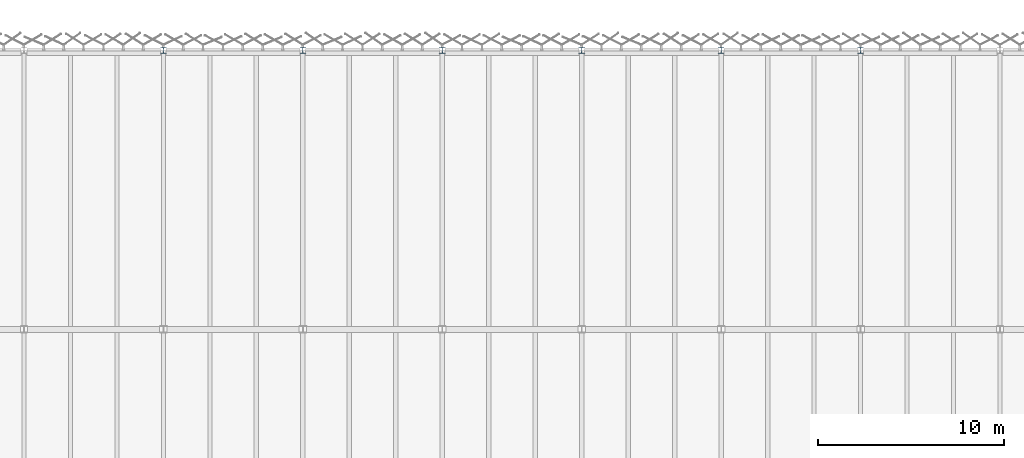
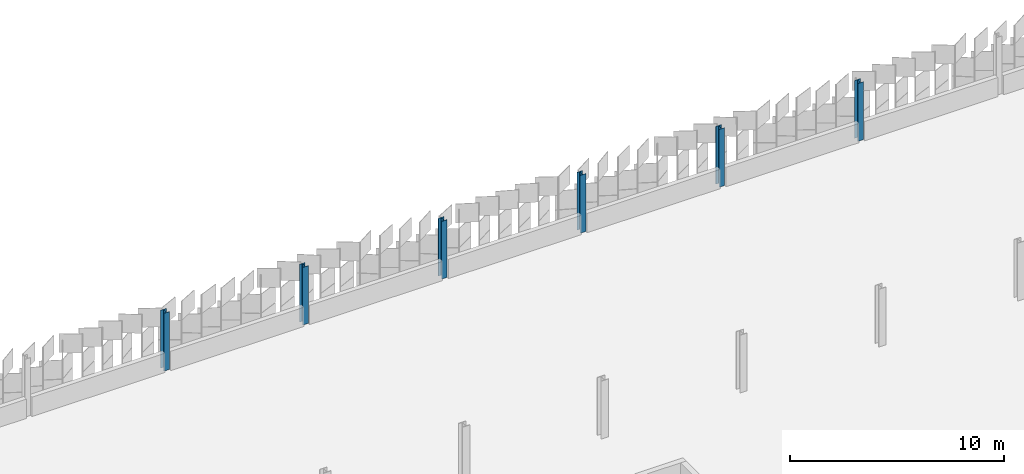
# One storey, part 25 of 198: 6 columns.
"""IFC4 building model written with IfcOpenShell, lengths in metres."""

import ifcopenshell
import ifcopenshell.guid

model = None  # the IFC model being written
_history = None  # IfcOwnerHistory: only IFC2X3 demands one
_inside = {}  # id of a spatial element -> (the spatial element, [elements in it])
_under = {}  # id of a project, library or spatial element -> (it, [spatial elements below it])
_declared = {}  # id of a project -> (the project, [libraries it declares])
_typed = {}  # id of a type object -> (the type object, [elements of that type])
_made_of = {}  # id of a material, layer set ... -> (it, [elements and type objects made of it])


def new_model(schema):
    """Start an empty IFC model of exactly this schema.

    Asked for "IFC4X3", IfcOpenShell would pick the latest addendum, in which some entities
    have other attributes; the version numbers below select the first issue.
    IFC2X3 requires an IfcOwnerHistory on every rooted entity: one is made here for all.
    """
    global model, _history
    if schema == "IFC4X3":
        model = ifcopenshell.file(schema_version=(4, 3, 0, 0))
    else:
        model = ifcopenshell.file(schema=schema)
    _inside.clear()
    _under.clear()
    _declared.clear()
    _typed.clear()
    _made_of.clear()
    _history = None
    if model.schema == "IFC2X3":
        org = make("IfcOrganization", Name="unknown")
        user = make(
            "IfcPersonAndOrganization",
            ThePerson=make("IfcPerson", FamilyName="unknown"),
            TheOrganization=org,
        )
        app = make(
            "IfcApplication",
            ApplicationDeveloper=org,
            Version="unknown",
            ApplicationFullName="unknown",
            ApplicationIdentifier="unknown",
        )
        _history = make(
            "IfcOwnerHistory",
            OwningUser=user,
            OwningApplication=app,
            ChangeAction="ADDED",
            CreationDate=0,
        )
    return model


def make(cls, **values):
    """One entity of the class cls with the attributes given. An attribute that is None is left unset."""
    return model.create_entity(
        cls, **{name: value for name, value in values.items() if value is not None}
    )


def rooted(cls, **values):
    """An entity with a GlobalId (a new one), such as an element, a storey or a relation."""
    return make(cls, GlobalId=ifcopenshell.guid.new(), OwnerHistory=_history, **values)


def si_unit(unit_type, name, prefix=None):
    """IfcSIUnit, for example si_unit("LENGTHUNIT", "METRE", prefix="MILLI")."""
    return make("IfcSIUnit", UnitType=unit_type, Prefix=prefix, Name=name)


def assignment(units):
    """IfcUnitAssignment: the units of a project."""
    return None if units is None else make("IfcUnitAssignment", Units=units)


def point(xyz):
    """IfcCartesianPoint."""
    return None if xyz is None else make("IfcCartesianPoint", Coordinates=xyz)


def direction(xyz):
    """IfcDirection."""
    return None if xyz is None else make("IfcDirection", DirectionRatios=xyz)


def frame(location, z_axis=None, x_axis=None):
    """IfcAxis2Placement3D, a coordinate frame: its origin and axes. An axis left out is left unset."""
    return make(
        "IfcAxis2Placement3D",
        Location=point(location),
        Axis=direction(z_axis),
        RefDirection=direction(x_axis),
    )


def frame_2d(location, x_axis=None):
    """IfcAxis2Placement2D, a coordinate frame in the plane: its origin and x axis."""
    return make(
        "IfcAxis2Placement2D", Location=point(location), RefDirection=direction(x_axis)
    )


def origin():
    """The frame at (0, 0, 0) with its axes left unset."""
    return frame((0.0, 0.0, 0.0))


def origin_2d():
    """The frame at (0, 0) in the plane with its x axis left unset."""
    return frame_2d((0.0, 0.0))


def place(relative_to, where):
    """IfcLocalPlacement: puts the frame where relative to a parent placement (None: the world)."""
    return make(
        "IfcLocalPlacement", PlacementRelTo=relative_to, RelativePlacement=where
    )


def context(
    kind, dimensions, precision=None, world=None, true_north=None, identifier=None
):
    """IfcGeometricRepresentationContext, for example the 3D "Model" context."""
    return make(
        "IfcGeometricRepresentationContext",
        ContextIdentifier=identifier,
        ContextType=kind,
        CoordinateSpaceDimension=dimensions,
        Precision=precision,
        WorldCoordinateSystem=world,
        TrueNorth=true_north,
    )


def subcontext(parent, identifier, kind, view, scale=None):
    """IfcGeometricRepresentationSubContext, for example "Body" below "Model"."""
    return make(
        "IfcGeometricRepresentationSubContext",
        ContextIdentifier=identifier,
        ContextType=kind,
        ParentContext=parent,
        TargetScale=scale,
        TargetView=view,
    )


def project(units=None, contexts=None):
    """IfcProject with its units and contexts."""
    return rooted(
        "IfcProject",
        Name="project",
        RepresentationContexts=contexts,
        UnitsInContext=assignment(units),
    )


def spatial(cls, under=None, at=None, **own):
    """A site, building, storey or space (cls), placed at a placement, below another one or the project."""
    s = rooted(cls, ObjectPlacement=at, **own)
    if under is not None:
        _under.setdefault(under.id(), (under, []))[1].append(s)
    return s


def profile(cls, at=None, kind="AREA", **sizes):
    """A parametric profile (cls). Its sizes go by their IFC names, for example OverallWidth=200.0."""
    return make(cls, ProfileType=kind, Position=at, **sizes)


def i_section(**sizes):
    """IfcIShapeProfileDef."""
    return profile("IfcIShapeProfileDef", **sizes)


def extrude(swept, where, along, depth):
    """IfcExtrudedAreaSolid: the profile swept, set in the frame where, extruded along a direction by depth."""
    return make(
        "IfcExtrudedAreaSolid",
        SweptArea=swept,
        Position=where,
        ExtrudedDirection=direction(along),
        Depth=depth,
    )


def shape(context_of_items, identifier, shape_type, items):
    """IfcShapeRepresentation: the items that make up one representation, for example the "Body"."""
    return make(
        "IfcShapeRepresentation",
        ContextOfItems=context_of_items,
        RepresentationIdentifier=identifier,
        RepresentationType=shape_type,
        Items=items,
    )


def material(Name=None, Category=None):
    """IfcMaterial."""
    return make("IfcMaterial", Name=Name, Category=Category)


def material_profile(
    of_material, cross_section, Name=None, Category=None, Priority=None
):
    """IfcMaterialProfile: a cross section and its material."""
    return make(
        "IfcMaterialProfile",
        Name=Name,
        Material=of_material,
        Profile=cross_section,
        Priority=Priority,
        Category=Category,
    )


def profile_set(profiles, Name=None, composite=None):
    """IfcMaterialProfileSet."""
    return make(
        "IfcMaterialProfileSet",
        Name=Name,
        MaterialProfiles=profiles,
        CompositeProfile=composite,
    )


def made_of(thing, what):
    """Note that an element or type object is made of a material, layer set ...; save() writes the relation."""
    if what is not None:
        _made_of.setdefault(what.id(), (what, []))[1].append(thing)
    return thing


def type_object(cls, material=None, **own):
    """A type object (cls), such as IfcWallType, which elements share."""
    return made_of(rooted(cls, **own), material)


def element(
    cls,
    number,
    at=None,
    inside=None,
    cuts=None,
    type_object=None,
    material=None,
    context=None,
    identifier="Body",
    shape_type=None,
    held_by="IfcProductDefinitionShape",
    body=None,
    shapes=None,
    **own,
):
    """One element of the class cls, such as IfcWall. Its Tag is "e" and its number.

    at: its placement. inside: the storey or other place that contains it. cuts: it is an
    opening in that element (IfcRelVoidsElement). A single representation is given by context,
    identifier, shape_type and body (its items); several are given by shapes. held_by: the class
    of the entity that holds the representations. save() writes the other relations.
    """
    e = rooted(cls, Tag="e%d" % number, ObjectPlacement=at, **own)
    if body is not None:
        shapes = [shape(context, identifier, shape_type, body)]
    if shapes is not None:
        e.Representation = make(held_by, Representations=shapes)
    if inside is not None:
        _inside.setdefault(inside.id(), (inside, []))[1].append(e)
    if cuts is not None:
        rooted(
            "IfcRelVoidsElement", RelatingBuildingElement=cuts, RelatedOpeningElement=e
        )
    if type_object is not None:
        _typed.setdefault(type_object.id(), (type_object, []))[1].append(e)
    return made_of(e, material)


def aggregate(whole, parts):
    """IfcRelAggregates: a whole, such as a stair, and the parts it consists of."""
    return rooted("IfcRelAggregates", RelatingObject=whole, RelatedObjects=parts)


def save(model, path):
    """Write the relations noted so far, then the file.

    IfcRelAggregates (storeys below a building ...), IfcRelContainedInSpatialStructure (elements
    in a storey), IfcRelDefinesByType, IfcRelAssociatesMaterial and IfcRelDeclares: one each for
    every whole, place, type object, material and project.
    """
    for whole, parts in _under.values():
        aggregate(whole, parts)
    for where, things in _inside.values():
        rooted(
            "IfcRelContainedInSpatialStructure",
            RelatedElements=things,
            RelatingStructure=where,
        )
    for kind, things in _typed.values():
        rooted("IfcRelDefinesByType", RelatedObjects=things, RelatingType=kind)
    for what, things in _made_of.values():
        rooted("IfcRelAssociatesMaterial", RelatedObjects=things, RelatingMaterial=what)
    for by, libraries in _declared.values():
        rooted("IfcRelDeclares", RelatingContext=by, RelatedDefinitions=libraries)
    model.write(path)


model = new_model("IFC4")

# Units and contexts
model_context = context("Model", 3, precision=1e-05, world=origin(), true_north=direction((0.0, 1.0)))
body_context = subcontext(model_context, "Body", "Model", "MODEL_VIEW")
ifc_project = project(units=[si_unit("LENGTHUNIT", "METRE"), si_unit("AREAUNIT", "SQUARE_METRE"), si_unit("VOLUMEUNIT", "CUBIC_METRE"), si_unit("PLANEANGLEUNIT", "RADIAN"), si_unit("MASSUNIT", "GRAM", prefix="KILO")], contexts=[model_context])

# Site, building, storey
site_placement = place(None, origin())
site = spatial("IfcSite", under=ifc_project, at=site_placement, CompositionType="ELEMENT")
building_placement = place(site_placement, origin())
building = spatial("IfcBuilding", under=site, at=building_placement, Name="Parallax Yard Mobility Hub", CompositionType="ELEMENT")
storey_placement = place(building_placement, frame((0.0, 0.0, 6.60009765625)))
storey = spatial("IfcBuildingStorey", under=building, at=storey_placement, Name="L02", CompositionType="ELEMENT", Elevation=6.60009765625)

# Columns
ifc_material = material(Name="Steel ASTM A992", Category="steel")
ifc_material_profile = material_profile(ifc_material, i_section(OverallWidth=0.304931640625, OverallDepth=0.306884765625, WebThickness=0.010009765625, FlangeThickness=0.015380859375, FilletRadius=0.01513671875, at=origin_2d()), Name="W310x97")
ifc_profile_set = profile_set([ifc_material_profile], Name="Steel ASTM A992")
column_type = type_object("IfcColumnType", Name="W310x97 column", PredefinedType="COLUMN", material=ifc_profile_set)
for number, where, z_axis, x_axis, name in (
    (1, (67.5, 142.5, 0.0), (0.0, 0.0, 1.0), (1.0, 0.0, 0.0), "Column C1 level L02 at V/10 of ramped parking decks"),
    (2, (75.0, 142.5, 0.0), (0.0, 0.0, 1.0), (1.0, 0.0, 0.0), "Column C1 level L02 at V/11 of ramped parking decks"),
    (3, (82.5, 142.5, 0.0), (0.0, 0.0, 1.0), (1.0, 0.0, 0.0), "Column C1 level L02 at V/12 of ramped parking decks"),
    (4, (90.0, 142.5, 0.0), (0.0, 0.0, 1.0), (1.0, 0.0, 0.0), "Column C1 level L02 at V/13 of ramped parking decks"),
    (5, (97.5, 142.5, 0.0), (0.0, 0.0, 1.0), (1.0, 0.0, 0.0), "Column C1 level L02 at V/14 of ramped parking decks"),
    (6, (105.0, 142.5, 0.0), (0.0, 0.0, 1.0), (1.0, 0.0, 0.0), "Column C1 level L02 at V/15 of ramped parking decks"),
):
    element("IfcColumn", number, at=place(storey_placement, frame(where, z_axis=z_axis, x_axis=x_axis)), inside=storey, type_object=column_type, Name=name, PredefinedType="COLUMN", context=body_context, shape_type="SweptSolid", body=[
        extrude(i_section(OverallWidth=0.304931640625, OverallDepth=0.306884765625, WebThickness=0.010009765625, FlangeThickness=0.015380859375, FilletRadius=0.01513671875, at=origin_2d()), origin(), (0.0, 0.0, 1.0), 3.2998046875),
    ])

save(model, "model.ifc")
